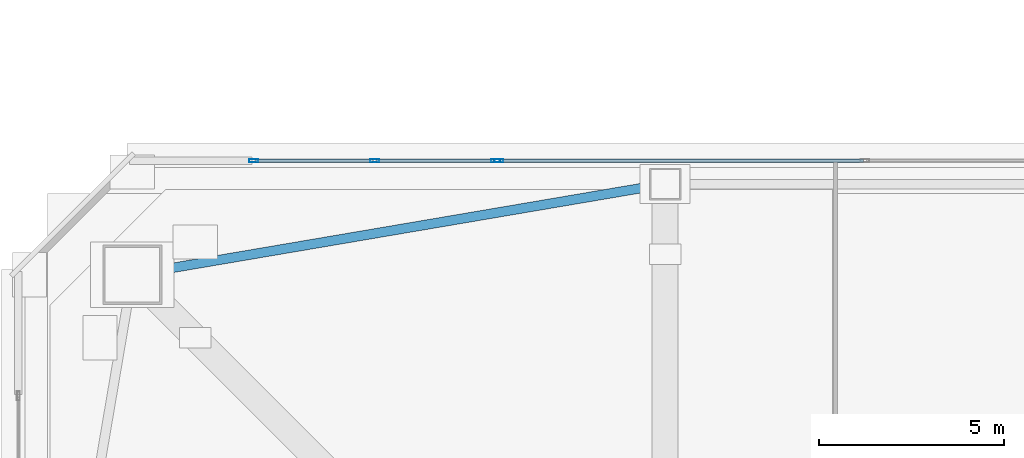
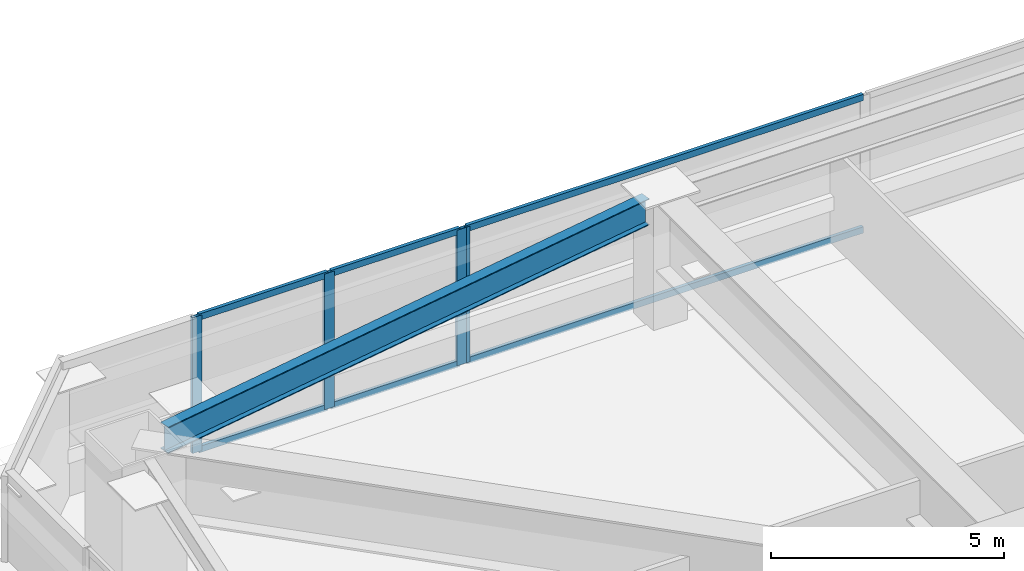
# One storey, part 15 of 48: 10 members, 1 beam, 2 elements without a shape of their own.
"""IFC4 building model written with IfcOpenShell, lengths in metres."""

from ifc_helpers import new_model, si_unit, direction, frame, origin, origin_2d, place, context, subcontext, project, spatial, hollow_rectangle, i_section, extrude, material, material_profile, profile_set, type_object, element, aggregate, save


model = new_model("IFC4")

# Units and contexts
model_context = context("Model", 3, precision=1e-05, world=origin(), true_north=direction((0.0, 1.0)))
body_context = subcontext(model_context, "Body", "Model", "MODEL_VIEW")
ifc_project = project(units=[si_unit("LENGTHUNIT", "METRE"), si_unit("AREAUNIT", "SQUARE_METRE"), si_unit("VOLUMEUNIT", "CUBIC_METRE"), si_unit("PLANEANGLEUNIT", "RADIAN"), si_unit("MASSUNIT", "GRAM", prefix="KILO")], contexts=[model_context])

# Site, building, storey
site_placement = place(None, origin())
site = spatial("IfcSite", under=ifc_project, at=site_placement, CompositionType="ELEMENT")
building_placement = place(site_placement, origin())
building = spatial("IfcBuilding", under=site, at=building_placement, Name="Tashvorn Skyway Center", CompositionType="ELEMENT")
storey_placement = place(building_placement, frame((0.0, 0.0, 63.64990234375)))
storey = spatial("IfcBuildingStorey", under=building, at=storey_placement, Name="L16", CompositionType="ELEMENT", Elevation=63.64990234375)

# Beam
ifc_material_1 = material(Name="Steel ASTM A992 Grade 50", Category="steel")
ifc_material_profile_1 = material_profile(ifc_material_1, i_section(OverallWidth=0.256103515625, OverallDepth=0.693115234375, WebThickness=0.014404296875, FlangeThickness=0.023681640625, at=origin_2d()), Name="W27X114")
ifc_profile_set_1 = profile_set([ifc_material_profile_1], Name="Steel ASTM A992 Grade 50")
beam_type = type_object("IfcBeamType", Name="BM-SPANDREL-W27X114", PredefinedType="SPANDREL", material=ifc_profile_set_1)
beam_placement = place(storey_placement, frame((36.18603515625, 54.179443359375, 3.003662109375), z_axis=(-0.985835025551, -0.16771792509, 0.0), x_axis=(0.16771792509, -0.985835025551, 0.0)))
element("IfcBeam", 1, at=beam_placement, inside=storey, type_object=beam_type, Name="Tower 1 L16 Spandrel Beam 09", PredefinedType="SPANDREL", context=body_context, shape_type="SweptSolid", body=[
    extrude(i_section(OverallWidth=0.256103515625, OverallDepth=0.693115234375, WebThickness=0.014404296875, FlangeThickness=0.023681640625, at=origin_2d()), origin(), (0.0, 0.0, 1.0), 13.39208984375),
])

# Curtain wall, members
ifc_material_2 = material(Name="Thermally broken bronze-anodized aluminium 6063-T6", Category="aluminium")
curtain_wall_type = type_object("IfcCurtainWallType", Name="CW-CW-Z1", PredefinedType="NOTDEFINED", material=ifc_material_2)
curtain_wall_1_placement = place(storey_placement, origin())
curtain_wall_1 = element("IfcCurtainWall", 2, at=curtain_wall_1_placement, inside=storey, type_object=curtain_wall_type, Name="Tower 1 L16 North Unitised Curtain Wall Glazing Group 1", PredefinedType="NOTDEFINED")
ifc_material_profile_2 = material_profile(ifc_material_2, hollow_rectangle(XDim=0.0849609375, YDim=0.239990234375, WallThickness=0.0048828125, at=origin_2d()), Name="ALU-MULL-85x240")
ifc_profile_set_2 = profile_set([ifc_material_profile_2], Name="Thermally broken bronze-anodized aluminium 6063-T6")
member_type_1 = type_object("IfcMemberType", Name="CWM-CW-Z1", PredefinedType="MULLION", material=ifc_profile_set_2)
member_1_placement = place(storey_placement, frame((25.475830078125, 54.8798828125, 0.0), z_axis=(0.0, 0.0, 1.0), x_axis=(0.0, 1.0, 0.0)))
member_1 = element("IfcMember", 3, at=member_1_placement, type_object=member_type_1, Name="CW-Z1 mullion 1", PredefinedType="MULLION", context=body_context, shape_type="SweptSolid", body=[
    extrude(hollow_rectangle(XDim=0.0849609375, YDim=0.239990234375, WallThickness=0.0048828125, at=origin_2d()), origin(), (0.0, 0.0, 1.0), 3.550048828125),
])
member_2_placement = place(storey_placement, frame((28.74658203125, 54.8798828125, 0.0), z_axis=(0.0, 0.0, 1.0), x_axis=(0.0, 1.0, 0.0)))
member_2 = element("IfcMember", 4, at=member_2_placement, type_object=member_type_1, Name="CW-Z1 mullion 2", PredefinedType="MULLION", context=body_context, shape_type="SweptSolid", body=[
    extrude(hollow_rectangle(XDim=0.0849609375, YDim=0.239990234375, WallThickness=0.0048828125, at=origin_2d()), origin(), (0.0, 0.0, 1.0), 3.550048828125),
])
member_3_placement = place(storey_placement, frame((32.017578125, 54.8798828125, 0.0), z_axis=(0.0, 0.0, 1.0), x_axis=(0.0, 1.0, 0.0)))
member_3 = element("IfcMember", 5, at=member_3_placement, type_object=member_type_1, Name="CW-Z1 mullion 3", PredefinedType="MULLION", context=body_context, shape_type="SweptSolid", body=[
    extrude(hollow_rectangle(XDim=0.0849609375, YDim=0.239990234375, WallThickness=0.0048828125, at=origin_2d()), origin(), (0.0, 0.0, 1.0), 3.550048828125),
])

# Curtain wall, member
curtain_wall_2_placement = place(storey_placement, origin())
curtain_wall_2 = element("IfcCurtainWall", 6, at=curtain_wall_2_placement, inside=storey, type_object=curtain_wall_type, Name="Tower 1 L16 North Unitised Curtain Wall Glazing Group 2", PredefinedType="NOTDEFINED")
member_4_placement = place(storey_placement, frame((32.1025390625, 54.8798828125, 0.0), z_axis=(0.0, 0.0, 1.0), x_axis=(0.0, 1.0, 0.0)))
member_4 = element("IfcMember", 7, at=member_4_placement, type_object=member_type_1, Name="CW-Z1 mullion 1", PredefinedType="MULLION", context=body_context, shape_type="SweptSolid", body=[
    extrude(hollow_rectangle(XDim=0.0849609375, YDim=0.239990234375, WallThickness=0.0048828125, at=origin_2d()), origin(), (0.0, 0.0, 1.0), 3.550048828125),
])

# Member
ifc_material_profile_3 = material_profile(ifc_material_2, hollow_rectangle(XDim=0.0849609375, YDim=0.1650390625, WallThickness=0.0048828125, at=origin_2d()), Name="ALU-TRAN-85x165")
ifc_profile_set_3 = profile_set([ifc_material_profile_3], Name="Thermally broken bronze-anodized aluminium 6063-T6")
member_type_2 = type_object("IfcMemberType", Name="CWT-CW-Z1", PredefinedType="USERDEFINED", material=ifc_profile_set_3)
member_5_placement = place(storey_placement, frame((25.518310546875, 54.8798828125, 0.04248046875), z_axis=(1.0, 0.0, 0.0), x_axis=(0.0, 1.0, 0.0)))
member_5 = element("IfcMember", 8, at=member_5_placement, type_object=member_type_2, Name="CW-Z1 transom 1.1", ObjectType="TRANSOM", PredefinedType="USERDEFINED", context=body_context, shape_type="SweptSolid", body=[
    extrude(hollow_rectangle(XDim=0.0849609375, YDim=0.1650390625, WallThickness=0.0048828125, at=origin_2d()), origin(), (0.0, 0.0, 1.0), 3.185791015625),
])

member_6_placement = place(storey_placement, frame((25.518310546875, 54.8798828125, 3.507568359375), z_axis=(1.0, 0.0, 0.0), x_axis=(0.0, 1.0, 0.0)))
member_6 = element("IfcMember", 9, at=member_6_placement, type_object=member_type_2, Name="CW-Z1 transom 1.2", ObjectType="TRANSOM", PredefinedType="USERDEFINED", context=body_context, shape_type="SweptSolid", body=[
    extrude(hollow_rectangle(XDim=0.0849609375, YDim=0.1650390625, WallThickness=0.0048828125, at=origin_2d()), origin(), (0.0, 0.0, 1.0), 3.185791015625),
])

member_7_placement = place(storey_placement, frame((28.7890625, 54.8798828125, 0.04248046875), z_axis=(1.0, 0.0, 0.0), x_axis=(0.0, 1.0, 0.0)))
member_7 = element("IfcMember", 10, at=member_7_placement, type_object=member_type_2, Name="CW-Z1 transom 2.1", ObjectType="TRANSOM", PredefinedType="USERDEFINED", context=body_context, shape_type="SweptSolid", body=[
    extrude(hollow_rectangle(XDim=0.0849609375, YDim=0.1650390625, WallThickness=0.0048828125, at=origin_2d()), origin(), (0.0, 0.0, 1.0), 3.18603515625),
])

member_8_placement = place(storey_placement, frame((28.7890625, 54.8798828125, 3.507568359375), z_axis=(1.0, 0.0, 0.0), x_axis=(0.0, 1.0, 0.0)))
member_8 = element("IfcMember", 11, at=member_8_placement, type_object=member_type_2, Name="CW-Z1 transom 2.2", ObjectType="TRANSOM", PredefinedType="USERDEFINED", context=body_context, shape_type="SweptSolid", body=[
    extrude(hollow_rectangle(XDim=0.0849609375, YDim=0.1650390625, WallThickness=0.0048828125, at=origin_2d()), origin(), (0.0, 0.0, 1.0), 3.18603515625),
])

aggregate(curtain_wall_1, [member_1, member_2, member_3, member_5, member_6, member_7, member_8])

member_9_placement = place(storey_placement, frame((32.14501953125, 54.8798828125, 0.04248046875), z_axis=(1.0, 0.0, 0.0), x_axis=(0.0, 1.0, 0.0)))
member_9 = element("IfcMember", 12, at=member_9_placement, type_object=member_type_2, Name="CW-Z1 transom 1.1", ObjectType="TRANSOM", PredefinedType="USERDEFINED", context=body_context, shape_type="SweptSolid", body=[
    extrude(hollow_rectangle(XDim=0.0849609375, YDim=0.1650390625, WallThickness=0.0048828125, at=origin_2d()), origin(), (0.0, 0.0, 1.0), 9.8125),
])

member_10_placement = place(storey_placement, frame((32.14501953125, 54.8798828125, 3.507568359375), z_axis=(1.0, 0.0, 0.0), x_axis=(0.0, 1.0, 0.0)))
member_10 = element("IfcMember", 13, at=member_10_placement, type_object=member_type_2, Name="CW-Z1 transom 1.2", ObjectType="TRANSOM", PredefinedType="USERDEFINED", context=body_context, shape_type="SweptSolid", body=[
    extrude(hollow_rectangle(XDim=0.0849609375, YDim=0.1650390625, WallThickness=0.0048828125, at=origin_2d()), origin(), (0.0, 0.0, 1.0), 9.8125),
])

aggregate(curtain_wall_2, [member_4, member_9, member_10])

save(model, "model.ifc")
